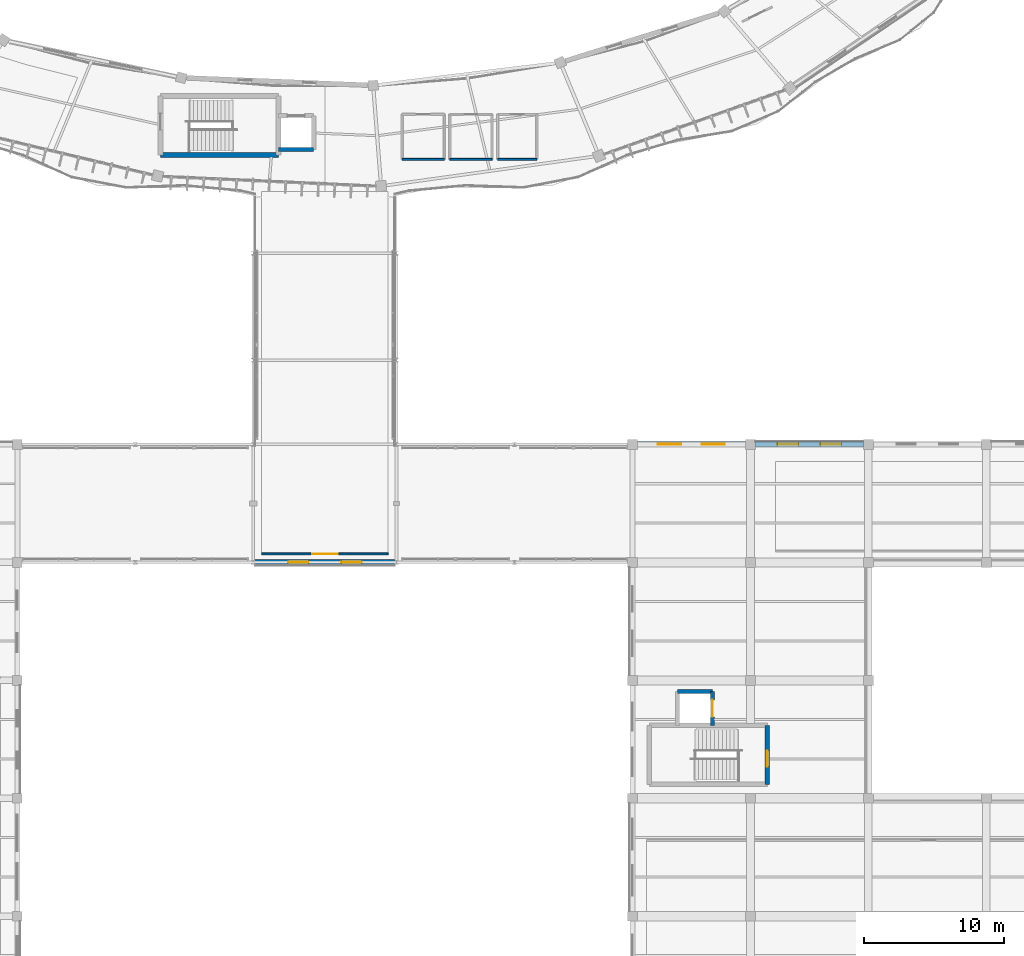
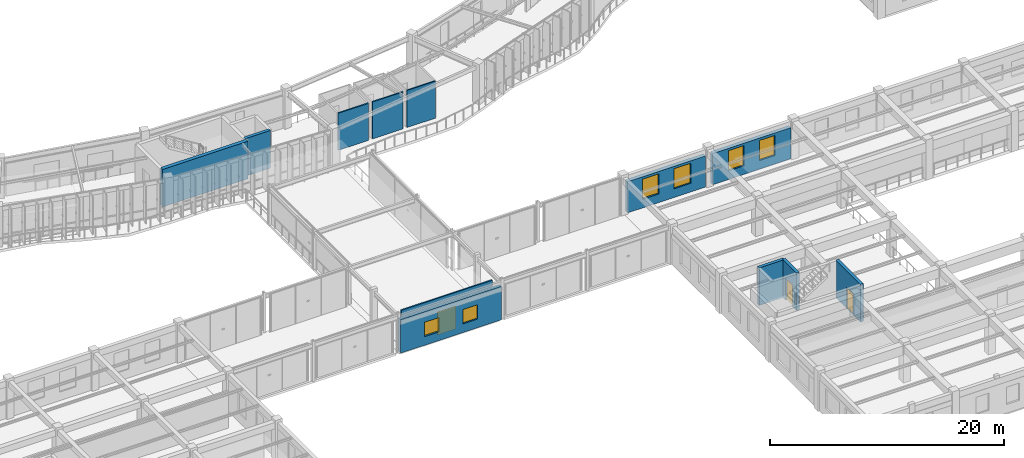
# One storey, part 121 of 152: 12 walls, 6 windows, 3 doors, 9 openings.
"""IFC4 building model written with IfcOpenShell, lengths in metres."""

import ifcopenshell
import ifcopenshell.guid

model = None  # the IFC model being written
_history = None  # IfcOwnerHistory: only IFC2X3 demands one
_inside = {}  # id of a spatial element -> (the spatial element, [elements in it])
_under = {}  # id of a project, library or spatial element -> (it, [spatial elements below it])
_declared = {}  # id of a project -> (the project, [libraries it declares])
_typed = {}  # id of a type object -> (the type object, [elements of that type])
_made_of = {}  # id of a material, layer set ... -> (it, [elements and type objects made of it])


def new_model(schema):
    """Start an empty IFC model of exactly this schema.

    Asked for "IFC4X3", IfcOpenShell would pick the latest addendum, in which some entities
    have other attributes; the version numbers below select the first issue.
    IFC2X3 requires an IfcOwnerHistory on every rooted entity: one is made here for all.
    """
    global model, _history
    if schema == "IFC4X3":
        model = ifcopenshell.file(schema_version=(4, 3, 0, 0))
    else:
        model = ifcopenshell.file(schema=schema)
    _inside.clear()
    _under.clear()
    _declared.clear()
    _typed.clear()
    _made_of.clear()
    _history = None
    if model.schema == "IFC2X3":
        org = make("IfcOrganization", Name="unknown")
        user = make(
            "IfcPersonAndOrganization",
            ThePerson=make("IfcPerson", FamilyName="unknown"),
            TheOrganization=org,
        )
        app = make(
            "IfcApplication",
            ApplicationDeveloper=org,
            Version="unknown",
            ApplicationFullName="unknown",
            ApplicationIdentifier="unknown",
        )
        _history = make(
            "IfcOwnerHistory",
            OwningUser=user,
            OwningApplication=app,
            ChangeAction="ADDED",
            CreationDate=0,
        )
    return model


def make(cls, **values):
    """One entity of the class cls with the attributes given. An attribute that is None is left unset."""
    return model.create_entity(
        cls, **{name: value for name, value in values.items() if value is not None}
    )


def rooted(cls, **values):
    """An entity with a GlobalId (a new one), such as an element, a storey or a relation."""
    return make(cls, GlobalId=ifcopenshell.guid.new(), OwnerHistory=_history, **values)


def si_unit(unit_type, name, prefix=None):
    """IfcSIUnit, for example si_unit("LENGTHUNIT", "METRE", prefix="MILLI")."""
    return make("IfcSIUnit", UnitType=unit_type, Prefix=prefix, Name=name)


def assignment(units):
    """IfcUnitAssignment: the units of a project."""
    return None if units is None else make("IfcUnitAssignment", Units=units)


def point(xyz):
    """IfcCartesianPoint."""
    return None if xyz is None else make("IfcCartesianPoint", Coordinates=xyz)


def direction(xyz):
    """IfcDirection."""
    return None if xyz is None else make("IfcDirection", DirectionRatios=xyz)


def frame(location, z_axis=None, x_axis=None):
    """IfcAxis2Placement3D, a coordinate frame: its origin and axes. An axis left out is left unset."""
    return make(
        "IfcAxis2Placement3D",
        Location=point(location),
        Axis=direction(z_axis),
        RefDirection=direction(x_axis),
    )


def frame_2d(location, x_axis=None):
    """IfcAxis2Placement2D, a coordinate frame in the plane: its origin and x axis."""
    return make(
        "IfcAxis2Placement2D", Location=point(location), RefDirection=direction(x_axis)
    )


def origin():
    """The frame at (0, 0, 0) with its axes left unset."""
    return frame((0.0, 0.0, 0.0))


def place(relative_to, where):
    """IfcLocalPlacement: puts the frame where relative to a parent placement (None: the world)."""
    return make(
        "IfcLocalPlacement", PlacementRelTo=relative_to, RelativePlacement=where
    )


def context(
    kind, dimensions, precision=None, world=None, true_north=None, identifier=None
):
    """IfcGeometricRepresentationContext, for example the 3D "Model" context."""
    return make(
        "IfcGeometricRepresentationContext",
        ContextIdentifier=identifier,
        ContextType=kind,
        CoordinateSpaceDimension=dimensions,
        Precision=precision,
        WorldCoordinateSystem=world,
        TrueNorth=true_north,
    )


def subcontext(parent, identifier, kind, view, scale=None):
    """IfcGeometricRepresentationSubContext, for example "Body" below "Model"."""
    return make(
        "IfcGeometricRepresentationSubContext",
        ContextIdentifier=identifier,
        ContextType=kind,
        ParentContext=parent,
        TargetScale=scale,
        TargetView=view,
    )


def project(units=None, contexts=None):
    """IfcProject with its units and contexts."""
    return rooted(
        "IfcProject",
        Name="project",
        RepresentationContexts=contexts,
        UnitsInContext=assignment(units),
    )


def spatial(cls, under=None, at=None, **own):
    """A site, building, storey or space (cls), placed at a placement, below another one or the project."""
    s = rooted(cls, ObjectPlacement=at, **own)
    if under is not None:
        _under.setdefault(under.id(), (under, []))[1].append(s)
    return s


def profile(cls, at=None, kind="AREA", **sizes):
    """A parametric profile (cls). Its sizes go by their IFC names, for example OverallWidth=200.0."""
    return make(cls, ProfileType=kind, Position=at, **sizes)


def rectangle(**sizes):
    """IfcRectangleProfileDef."""
    return profile("IfcRectangleProfileDef", **sizes)


def extrude(swept, where, along, depth):
    """IfcExtrudedAreaSolid: the profile swept, set in the frame where, extruded along a direction by depth."""
    return make(
        "IfcExtrudedAreaSolid",
        SweptArea=swept,
        Position=where,
        ExtrudedDirection=direction(along),
        Depth=depth,
    )


def shape(context_of_items, identifier, shape_type, items):
    """IfcShapeRepresentation: the items that make up one representation, for example the "Body"."""
    return make(
        "IfcShapeRepresentation",
        ContextOfItems=context_of_items,
        RepresentationIdentifier=identifier,
        RepresentationType=shape_type,
        Items=items,
    )


def material(Name=None, Category=None):
    """IfcMaterial."""
    return make("IfcMaterial", Name=Name, Category=Category)


def layer(
    of_material, thickness, ventilated=None, Name=None, Category=None, Priority=None
):
    """IfcMaterialLayer: one layer of a wall or slab, of a material (None: an air gap)."""
    return make(
        "IfcMaterialLayer",
        Material=of_material,
        LayerThickness=thickness,
        IsVentilated=ventilated,
        Name=Name,
        Category=Category,
        Priority=Priority,
    )


def layer_set(layers, Name=None):
    """IfcMaterialLayerSet."""
    return make("IfcMaterialLayerSet", MaterialLayers=layers, LayerSetName=Name)


def made_of(thing, what):
    """Note that an element or type object is made of a material, layer set ...; save() writes the relation."""
    if what is not None:
        _made_of.setdefault(what.id(), (what, []))[1].append(thing)
    return thing


def type_object(cls, material=None, **own):
    """A type object (cls), such as IfcWallType, which elements share."""
    return made_of(rooted(cls, **own), material)


def element(
    cls,
    number,
    at=None,
    inside=None,
    cuts=None,
    type_object=None,
    material=None,
    context=None,
    identifier="Body",
    shape_type=None,
    held_by="IfcProductDefinitionShape",
    body=None,
    shapes=None,
    **own,
):
    """One element of the class cls, such as IfcWall. Its Tag is "e" and its number.

    at: its placement. inside: the storey or other place that contains it. cuts: it is an
    opening in that element (IfcRelVoidsElement). A single representation is given by context,
    identifier, shape_type and body (its items); several are given by shapes. held_by: the class
    of the entity that holds the representations. save() writes the other relations.
    """
    e = rooted(cls, Tag="e%d" % number, ObjectPlacement=at, **own)
    if body is not None:
        shapes = [shape(context, identifier, shape_type, body)]
    if shapes is not None:
        e.Representation = make(held_by, Representations=shapes)
    if inside is not None:
        _inside.setdefault(inside.id(), (inside, []))[1].append(e)
    if cuts is not None:
        rooted(
            "IfcRelVoidsElement", RelatingBuildingElement=cuts, RelatedOpeningElement=e
        )
    if type_object is not None:
        _typed.setdefault(type_object.id(), (type_object, []))[1].append(e)
    return made_of(e, material)


def fill(opening, filler):
    """IfcRelFillsElement: the door or window that sits in an opening."""
    return rooted(
        "IfcRelFillsElement",
        RelatingOpeningElement=opening,
        RelatedBuildingElement=filler,
    )


def aggregate(whole, parts):
    """IfcRelAggregates: a whole, such as a stair, and the parts it consists of."""
    return rooted("IfcRelAggregates", RelatingObject=whole, RelatedObjects=parts)


def save(model, path):
    """Write the relations noted so far, then the file.

    IfcRelAggregates (storeys below a building ...), IfcRelContainedInSpatialStructure (elements
    in a storey), IfcRelDefinesByType, IfcRelAssociatesMaterial and IfcRelDeclares: one each for
    every whole, place, type object, material and project.
    """
    for whole, parts in _under.values():
        aggregate(whole, parts)
    for where, things in _inside.values():
        rooted(
            "IfcRelContainedInSpatialStructure",
            RelatedElements=things,
            RelatingStructure=where,
        )
    for kind, things in _typed.values():
        rooted("IfcRelDefinesByType", RelatedObjects=things, RelatingType=kind)
    for what, things in _made_of.values():
        rooted("IfcRelAssociatesMaterial", RelatedObjects=things, RelatingMaterial=what)
    for by, libraries in _declared.values():
        rooted("IfcRelDeclares", RelatingContext=by, RelatedDefinitions=libraries)
    model.write(path)


model = new_model("IFC4")

# Units and contexts
model_context = context("Model", 3, precision=1e-05, world=origin(), true_north=direction((0.0, 1.0)))
body_context = subcontext(model_context, "Body", "Model", "MODEL_VIEW")
ifc_project = project(units=[si_unit("LENGTHUNIT", "METRE"), si_unit("AREAUNIT", "SQUARE_METRE"), si_unit("VOLUMEUNIT", "CUBIC_METRE"), si_unit("PLANEANGLEUNIT", "RADIAN"), si_unit("MASSUNIT", "GRAM", prefix="KILO"), si_unit("THERMODYNAMICTEMPERATUREUNIT", "KELVIN"), si_unit("POWERUNIT", "WATT")], contexts=[model_context])

# Site, building, storey
site_placement = place(None, origin())
site = spatial("IfcSite", under=ifc_project, at=site_placement, CompositionType="ELEMENT")
building_placement = place(site_placement, origin())
building = spatial("IfcBuilding", under=site, at=building_placement, Name="Darbajah Civic Hall", CompositionType="ELEMENT")
storey_placement = place(building_placement, frame((0.0, 0.0, 5.39990234375)))
storey = spatial("IfcBuildingStorey", under=building, at=storey_placement, Name="L01", CompositionType="ELEMENT", Elevation=5.39990234375)

# Wall
ifc_material_1 = material(Name="Concrete C45/55", Category="concrete")
ifc_layer_1 = layer(ifc_material_1, 0.300048828125, Name="Concrete C45/55")
ifc_layer_set_1 = layer_set([ifc_layer_1], Name="Concrete C45/55")
wall_type_1 = type_object("IfcWallType", Name="Core Shear Wall 300mm", PredefinedType="SHEAR", material=ifc_layer_set_1)
wall_1_placement = place(storey_placement, frame((85.800048828125, 63.0, 0.0), z_axis=(0.0, 0.0, 1.0), x_axis=(1.0, 0.0, 0.0)))
element("IfcWall", 1, at=wall_1_placement, inside=storey, type_object=wall_type_1, Name="L01 lift PL1 shaft wall S", PredefinedType="SHEAR", context=body_context, shape_type="SweptSolid", body=[
    extrude(rectangle(XDim=2.5, YDim=0.300048828125, at=frame_2d((1.25, 0.0))), origin(), (0.0, 0.0, 1.0), 3.920166015625),
])

# Wall, opening, door
wall_2_placement = place(storey_placement, frame((120.60009765625, 17.800048828125, 0.0), z_axis=(0.0, 0.0, 1.0), x_axis=(0.0, 1.0, 0.0)))
wall_2 = element("IfcWall", 2, at=wall_2_placement, inside=storey, type_object=wall_type_1, Name="L01 core C06 shear wall E", PredefinedType="SHEAR", context=body_context, shape_type="SweptSolid", body=[
    extrude(rectangle(XDim=4.199951171875, YDim=0.300048828125, at=frame_2d((2.10009765625, 0.0))), origin(), (0.0, 0.0, 1.0), 3.920166015625),
])
opening_1_placement = place(wall_2_placement, frame((1.25, 0.0, 0.0)))
opening_1 = element("IfcOpeningElement", 3, at=opening_1_placement, cuts=wall_2, Name="Opening SD-0074", PredefinedType="OPENING", context=body_context, shape_type="SweptSolid", body=[
    extrude(rectangle(XDim=1.14990234375, YDim=2.199951171875, at=frame_2d((0.574951171875, 1.10009765625))), frame((0.0, 0.159912109375, 0.0), z_axis=(0.0, -1.0, 0.0), x_axis=(1.0, 0.0, 0.0)), (0.0, 0.0, 1.0), 0.320068359375),
])
ifc_material_2 = material(Name="Steel Rated Core Door", Category="steel")
door_type_1 = type_object("IfcDoorType", Name="Interior Door 1150x2200", OperationType="NOTDEFINED", PredefinedType="DOOR", material=ifc_material_2)
door_1_placement = place(opening_1_placement, origin())
door_1 = element("IfcDoor", 4, at=door_1_placement, inside=storey, type_object=door_type_1, Name="L01 stair ST06 fire door SD-0074", OperationType="SINGLE_SWING_LEFT", OverallHeight=2.199951171875, OverallWidth=1.14990234375, PredefinedType="DOOR", context=body_context, shape_type="SweptSolid", body=[
    extrude(rectangle(XDim=1.14990234375, YDim=2.199951171875, at=frame_2d((0.574951171875, 1.10009765625))), frame((0.0, 0.02490234375, 0.0), z_axis=(0.0, -1.0, 0.0), x_axis=(1.0, 0.0, 0.0)), (0.0, 0.0, 1.0), 0.050048828125),
])
fill(opening_1, door_1)

# Wall
wall_3_placement = place(storey_placement, frame((116.699951171875, 24.39990234375, 0.0), z_axis=(0.0, 0.0, 1.0), x_axis=(-1.0, 0.0, 0.0)))
element("IfcWall", 5, at=wall_3_placement, inside=storey, type_object=wall_type_1, Name="L01 lift PL3 shaft wall N", PredefinedType="SHEAR", context=body_context, shape_type="SweptSolid", body=[
    extrude(rectangle(XDim=2.5, YDim=0.300048828125, at=frame_2d((1.25, 0.0))), origin(), (0.0, 0.0, 1.0), 3.920166015625),
])

# Wall, opening, door
wall_4_placement = place(storey_placement, frame((116.699951171875, 22.0, 0.0), z_axis=(0.0, 0.0, 1.0), x_axis=(0.0, 1.0, 0.0)))
wall_4 = element("IfcWall", 6, at=wall_4_placement, inside=storey, type_object=wall_type_1, Name="L01 lift PL3 shaft wall E", PredefinedType="SHEAR", context=body_context, shape_type="SweptSolid", body=[
    extrude(rectangle(XDim=2.39990234375, YDim=0.300048828125, at=frame_2d((1.199951171875, 0.0))), origin(), (0.0, 0.0, 1.0), 3.920166015625),
])
opening_2_placement = place(wall_4_placement, frame((0.60009765625, 0.0, 0.0)))
opening_2 = element("IfcOpeningElement", 7, at=opening_2_placement, cuts=wall_4, Name="Opening LD-0078", PredefinedType="OPENING", context=body_context, shape_type="SweptSolid", body=[
    extrude(rectangle(XDim=1.199951171875, YDim=2.25, at=frame_2d((0.60009765625, 1.125))), frame((0.0, 0.159912109375, 0.0), z_axis=(0.0, -1.0, 0.0), x_axis=(1.0, 0.0, 0.0)), (0.0, 0.0, 1.0), 0.320068359375),
])
ifc_material_3 = material(Name="Stainless Lift Landing Door")
door_type_2 = type_object("IfcDoorType", Name="Lift Landing Door 1200x2250", OperationType="SLIDING_TO_LEFT", PredefinedType="DOOR", material=ifc_material_3)
door_2_placement = place(opening_2_placement, origin())
door_2 = element("IfcDoor", 8, at=door_2_placement, inside=storey, type_object=door_type_2, Name="L01 lift PL3 landing door LD-0078", OperationType="SLIDING_TO_LEFT", OverallHeight=2.25, OverallWidth=1.199951171875, PredefinedType="DOOR", context=body_context, shape_type="SweptSolid", body=[
    extrude(rectangle(XDim=1.199951171875, YDim=2.25, at=frame_2d((0.60009765625, 1.125))), frame((0.0, 0.02490234375, 0.0), z_axis=(0.0, -1.0, 0.0), x_axis=(1.0, 0.0, 0.0)), (0.0, 0.0, 1.0), 0.050048828125),
])
fill(opening_2, door_2)

# Wall
ifc_material_4 = material(Name="Concrete C50/60", Category="concrete")
ifc_layer_2 = layer(ifc_material_4, 0.35009765625, Name="Concrete C50/60")
ifc_layer_set_2 = layer_set([ifc_layer_2], Name="Concrete C50/60")
wall_type_2 = type_object("IfcWallType", Name="Core Shear Wall 350mm", PredefinedType="SHEAR", material=ifc_layer_set_2)
wall_5_placement = place(storey_placement, frame((77.39990234375, 62.60009765625, 0.0), z_axis=(0.0, 0.0, 1.0), x_axis=(1.0, 0.0, 0.0)))
element("IfcWall", 9, at=wall_5_placement, inside=storey, type_object=wall_type_2, Name="L01 core C03 shear wall S", PredefinedType="SHEAR", context=body_context, shape_type="SweptSolid", body=[
    extrude(rectangle(XDim=8.400146484375, YDim=0.35009765625, at=frame_2d((4.2001953125, 0.0))), origin(), (0.0, 0.0, 1.0), 3.920166015625),
])

# Wall, openings, windows
ifc_material_5 = material(Name="Red Dholpur Sandstone Cladding", Category="masonry")
ifc_layer_3 = layer(ifc_material_5, 0.3798828125, Name="Red Dholpur Sandstone Cladding")
ifc_layer_set_3 = layer_set([ifc_layer_3], Name="Red Dholpur Sandstone Cladding")
wall_type_3 = type_object("IfcWallType", Name="Exterior Wall 380mm", PredefinedType="SOLIDWALL", material=ifc_layer_set_3)
wall_6_placement = place(storey_placement, frame((127.447998046875, 42.0, 0.0), z_axis=(0.0, 0.0, 1.0), x_axis=(-1.0, 0.0, 0.0)))
wall_6 = element("IfcWall", 10, at=wall_6_placement, inside=storey, type_object=wall_type_3, Name="L01 exterior wall EW-380", PredefinedType="SOLIDWALL", context=body_context, shape_type="SweptSolid", body=[
    extrude(rectangle(XDim=7.696044921875, YDim=0.3798828125, at=frame_2d((3.84814453125, 0.0))), origin(), (0.0, 0.0, 1.0), 3.25),
])
opening_3_placement = place(wall_6_placement, frame((1.565185546875, 0.0, 0.89990234375)))
opening_3 = element("IfcOpeningElement", 11, at=opening_3_placement, cuts=wall_6, Name="Opening WN-03", PredefinedType="OPENING", context=body_context, shape_type="SweptSolid", body=[
    extrude(rectangle(XDim=1.5, YDim=2.10009765625, at=frame_2d((0.75, 1.050048828125))), frame((0.0, 0.199951171875, 0.0), z_axis=(0.0, -1.0, 0.0), x_axis=(1.0, 0.0, 0.0)), (0.0, 0.0, 1.0), 0.39990234375),
])
opening_4_placement = place(wall_6_placement, frame((4.630615234375, 0.0, 0.89990234375)))
opening_4 = element("IfcOpeningElement", 12, at=opening_4_placement, cuts=wall_6, Name="Opening WN-03", PredefinedType="OPENING", context=body_context, shape_type="SweptSolid", body=[
    extrude(rectangle(XDim=1.5, YDim=2.10009765625, at=frame_2d((0.75, 1.050048828125))), frame((0.0, 0.199951171875, 0.0), z_axis=(0.0, -1.0, 0.0), x_axis=(1.0, 0.0, 0.0)), (0.0, 0.0, 1.0), 0.39990234375),
])
ifc_material_6 = material(Name="Low-E Solar Control Double Glazing", Category="glass")
window_type_1 = type_object("IfcWindowType", Name="Facade Window 1500x2100", PartitioningType="SINGLE_PANEL", PredefinedType="WINDOW", material=ifc_material_6)
window_1_placement = place(opening_3_placement, origin())
window_1 = element("IfcWindow", 13, at=window_1_placement, inside=storey, type_object=window_type_1, Name="L01 facade window WN-03", OverallHeight=2.10009765625, OverallWidth=1.5, PartitioningType="SINGLE_PANEL", PredefinedType="WINDOW", context=body_context, shape_type="SweptSolid", body=[
    extrude(rectangle(XDim=1.5, YDim=2.10009765625, at=frame_2d((0.75, 1.050048828125))), frame((0.0, 0.030029296875, 0.0), z_axis=(0.0, -1.0, 0.0), x_axis=(1.0, 0.0, 0.0)), (0.0, 0.0, 1.0), 0.06005859375),
])
fill(opening_3, window_1)
window_2_placement = place(opening_4_placement, origin())
window_2 = element("IfcWindow", 14, at=window_2_placement, inside=storey, type_object=window_type_1, Name="L01 facade window WN-03", OverallHeight=2.10009765625, OverallWidth=1.5, PartitioningType="SINGLE_PANEL", PredefinedType="WINDOW", context=body_context, shape_type="SweptSolid", body=[
    extrude(rectangle(XDim=1.5, YDim=2.10009765625, at=frame_2d((0.75, 1.050048828125))), frame((0.0, 0.030029296875, 0.0), z_axis=(0.0, -1.0, 0.0), x_axis=(1.0, 0.0, 0.0)), (0.0, 0.0, 1.0), 0.06005859375),
])
fill(opening_4, window_2)

wall_7_placement = place(storey_placement, frame((119.048095703125, 42.0, 0.0), z_axis=(0.0, 0.0, 1.0), x_axis=(-1.0, 0.0, 0.0)))
wall_7 = element("IfcWall", 15, at=wall_7_placement, inside=storey, type_object=wall_type_3, Name="L01 exterior wall EW-380", PredefinedType="SOLIDWALL", context=body_context, shape_type="SweptSolid", body=[
    extrude(rectangle(XDim=7.696044921875, YDim=0.3798828125, at=frame_2d((3.84814453125, 0.0))), origin(), (0.0, 0.0, 1.0), 3.25),
])
opening_5_placement = place(wall_7_placement, frame((1.46533203125, 0.0, 0.89990234375)))
opening_5 = element("IfcOpeningElement", 16, at=opening_5_placement, cuts=wall_7, Name="Opening WN-04", PredefinedType="OPENING", context=body_context, shape_type="SweptSolid", body=[
    extrude(rectangle(XDim=1.64990234375, YDim=2.10009765625, at=frame_2d((0.824951171875, 1.050048828125))), frame((0.0, 0.199951171875, 0.0), z_axis=(0.0, -1.0, 0.0), x_axis=(1.0, 0.0, 0.0)), (0.0, 0.0, 1.0), 0.39990234375),
])
opening_6_placement = place(wall_7_placement, frame((4.580810546875, 0.0, 0.89990234375)))
opening_6 = element("IfcOpeningElement", 17, at=opening_6_placement, cuts=wall_7, Name="Opening WN-04", PredefinedType="OPENING", context=body_context, shape_type="SweptSolid", body=[
    extrude(rectangle(XDim=1.64990234375, YDim=2.10009765625, at=frame_2d((0.824951171875, 1.050048828125))), frame((0.0, 0.199951171875, 0.0), z_axis=(0.0, -1.0, 0.0), x_axis=(1.0, 0.0, 0.0)), (0.0, 0.0, 1.0), 0.39990234375),
])
window_type_2 = type_object("IfcWindowType", Name="Facade Window 1650x2100", PartitioningType="DOUBLE_PANEL_VERTICAL", PredefinedType="WINDOW", material=ifc_material_6)
window_3_placement = place(opening_5_placement, origin())
window_3 = element("IfcWindow", 18, at=window_3_placement, inside=storey, type_object=window_type_2, Name="L01 facade window WN-04", OverallHeight=2.10009765625, OverallWidth=1.64990234375, PartitioningType="SINGLE_PANEL", PredefinedType="WINDOW", context=body_context, shape_type="SweptSolid", body=[
    extrude(rectangle(XDim=1.64990234375, YDim=2.10009765625, at=frame_2d((0.824951171875, 1.050048828125))), frame((0.0, 0.030029296875, 0.0), z_axis=(0.0, -1.0, 0.0), x_axis=(1.0, 0.0, 0.0)), (0.0, 0.0, 1.0), 0.06005859375),
])
fill(opening_5, window_3)
window_4_placement = place(opening_6_placement, origin())
window_4 = element("IfcWindow", 19, at=window_4_placement, inside=storey, type_object=window_type_2, Name="L01 facade window WN-04", OverallHeight=2.10009765625, OverallWidth=1.64990234375, PartitioningType="SINGLE_PANEL", PredefinedType="WINDOW", context=body_context, shape_type="SweptSolid", body=[
    extrude(rectangle(XDim=1.64990234375, YDim=2.10009765625, at=frame_2d((0.824951171875, 1.050048828125))), frame((0.0, 0.030029296875, 0.0), z_axis=(0.0, -1.0, 0.0), x_axis=(1.0, 0.0, 0.0)), (0.0, 0.0, 1.0), 0.06005859375),
])
fill(opening_6, window_4)

wall_8_placement = place(storey_placement, frame((84.130126953125, 33.60009765625, 0.0), z_axis=(0.0, 0.0, 1.0), x_axis=(1.0, 0.0, 0.0)))
wall_8 = element("IfcWall", 20, at=wall_8_placement, inside=storey, type_object=wall_type_3, Name="L01 exterior wall EW-380", PredefinedType="SOLIDWALL", context=body_context, shape_type="SweptSolid", body=[
    extrude(rectangle(XDim=9.939697265625, YDim=0.3798828125, at=frame_2d((4.9697265625, 0.0))), origin(), (0.0, 0.0, 1.0), 3.47314453125),
])
opening_7_placement = place(wall_8_placement, frame((2.3466796875, 0.0, 0.89990234375)))
opening_7 = element("IfcOpeningElement", 21, at=opening_7_placement, cuts=wall_8, Name="Opening WN-25", PredefinedType="OPENING", context=body_context, shape_type="SweptSolid", body=[
    extrude(rectangle(XDim=1.449951171875, YDim=1.5, at=frame_2d((0.72509765625, 0.75))), frame((0.0, 0.199951171875, 0.0), z_axis=(0.0, -1.0, 0.0), x_axis=(1.0, 0.0, 0.0)), (0.0, 0.0, 1.0), 0.39990234375),
])
opening_8_placement = place(wall_8_placement, frame((6.143310546875, 0.0, 0.89990234375)))
opening_8 = element("IfcOpeningElement", 22, at=opening_8_placement, cuts=wall_8, Name="Opening WN-25", PredefinedType="OPENING", context=body_context, shape_type="SweptSolid", body=[
    extrude(rectangle(XDim=1.449951171875, YDim=1.5, at=frame_2d((0.72509765625, 0.75))), frame((0.0, 0.199951171875, 0.0), z_axis=(0.0, -1.0, 0.0), x_axis=(1.0, 0.0, 0.0)), (0.0, 0.0, 1.0), 0.39990234375),
])
window_type_3 = type_object("IfcWindowType", Name="Facade Window 1450x1500", PartitioningType="SINGLE_PANEL", PredefinedType="WINDOW", material=ifc_material_6)
window_5_placement = place(opening_7_placement, origin())
window_5 = element("IfcWindow", 23, at=window_5_placement, inside=storey, type_object=window_type_3, Name="L01 facade window WN-25", OverallHeight=1.5, OverallWidth=1.449951171875, PartitioningType="SINGLE_PANEL", PredefinedType="WINDOW", context=body_context, shape_type="SweptSolid", body=[
    extrude(rectangle(XDim=1.449951171875, YDim=1.5, at=frame_2d((0.72509765625, 0.75))), frame((0.0, 0.030029296875, 0.0), z_axis=(0.0, -1.0, 0.0), x_axis=(1.0, 0.0, 0.0)), (0.0, 0.0, 1.0), 0.06005859375),
])
fill(opening_7, window_5)
window_6_placement = place(opening_8_placement, origin())
window_6 = element("IfcWindow", 24, at=window_6_placement, inside=storey, type_object=window_type_3, Name="L01 facade window WN-25", OverallHeight=1.5, OverallWidth=1.449951171875, PartitioningType="SINGLE_PANEL", PredefinedType="WINDOW", context=body_context, shape_type="SweptSolid", body=[
    extrude(rectangle(XDim=1.449951171875, YDim=1.5, at=frame_2d((0.72509765625, 0.75))), frame((0.0, 0.030029296875, 0.0), z_axis=(0.0, -1.0, 0.0), x_axis=(1.0, 0.0, 0.0)), (0.0, 0.0, 1.0), 0.06005859375),
])
fill(opening_8, window_6)

# Walls
ifc_material_7 = material(Name="Gypsum Plasterboard on Steel Stud", Category="steel")
ifc_layer_4 = layer(ifc_material_7, 0.135009765625, Name="Gypsum Plasterboard on Steel Stud")
ifc_layer_set_4 = layer_set([ifc_layer_4], Name="Gypsum Plasterboard on Steel Stud")
wall_type_4 = type_object("IfcWallType", Name="Interior Partition 135mm", PredefinedType="PARTITIONING", material=ifc_layer_set_4)
for number, where, z_axis, x_axis, name in (
    (25, (94.60009765625, 62.300048828125, 0.0), (0.0, 0.0, 1.0), (1.0, 0.0, 0.0), "L01 restroom enclosure wall L01-WCM S"),
    (26, (98.0, 62.300048828125, 0.0), (0.0, 0.0, 1.0), (1.0, 0.0, 0.0), "L01 restroom enclosure wall L01-WCF S"),
):
    element("IfcWall", number, at=place(storey_placement, frame(where, z_axis=z_axis, x_axis=x_axis)), inside=storey, type_object=wall_type_4, Name=name, PredefinedType="PARTITIONING", context=body_context, shape_type="SweptSolid", body=[
        extrude(rectangle(XDim=3.0, YDim=0.135009765625, at=frame_2d((1.5, 0.0))), origin(), (0.0, 0.0, 1.0), 3.860107421875),
    ])
wall_9_placement = place(storey_placement, frame((101.39990234375, 62.300048828125, 0.0), z_axis=(0.0, 0.0, 1.0), x_axis=(1.0, 0.0, 0.0)))
element("IfcWall", 27, at=wall_9_placement, inside=storey, type_object=wall_type_4, Name="L01 restroom enclosure wall L01-WCA S", PredefinedType="PARTITIONING", context=body_context, shape_type="SweptSolid", body=[
    extrude(rectangle(XDim=2.800048828125, YDim=0.135009765625, at=frame_2d((1.39990234375, 0.0))), origin(), (0.0, 0.0, 1.0), 3.860107421875),
])

# Wall, opening, door
wall_10_placement = place(storey_placement, frame((84.60009765625, 34.199951171875, 0.0), z_axis=(0.0, 0.0, 1.0), x_axis=(1.0, 0.0, 0.0)))
wall_10 = element("IfcWall", 28, at=wall_10_placement, inside=storey, type_object=wall_type_4, Name="L01 interior partition L01-V6-01", PredefinedType="PARTITIONING", context=body_context, shape_type="SweptSolid", body=[
    extrude(rectangle(XDim=9.0, YDim=0.135009765625, at=frame_2d((4.5, 0.0))), origin(), (0.0, 0.0, 1.0), 3.860107421875),
])
opening_9_placement = place(wall_10_placement, frame((3.60009765625, 0.0, 0.0)))
opening_9 = element("IfcOpeningElement", 29, at=opening_9_placement, cuts=wall_10, Name="Opening D-0195", PredefinedType="OPENING", context=body_context, shape_type="SweptSolid", body=[
    extrude(rectangle(XDim=1.800048828125, YDim=2.39990234375, at=frame_2d((0.89990234375, 1.199951171875))), frame((0.0, 0.077392578125, 0.0), z_axis=(0.0, -1.0, 0.0), x_axis=(1.0, 0.0, 0.0)), (0.0, 0.0, 1.0), 0.155029296875),
])
ifc_material_8 = material(Name="Painted Hardwood Fire Door", Category="wood")
door_type_3 = type_object("IfcDoorType", Name="Interior Door 1800x2400", OperationType="NOTDEFINED", PredefinedType="DOOR", material=ifc_material_8)
door_3_placement = place(opening_9_placement, origin())
door_3 = element("IfcDoor", 30, at=door_3_placement, inside=storey, type_object=door_type_3, Name="L01 L01-V6-01 door D-0195", OperationType="DOUBLE_DOOR_SINGLE_SWING", OverallHeight=2.39990234375, OverallWidth=1.800048828125, PredefinedType="DOOR", context=body_context, shape_type="SweptSolid", body=[
    extrude(rectangle(XDim=1.800048828125, YDim=2.39990234375, at=frame_2d((0.89990234375, 1.199951171875))), frame((0.0, 0.02490234375, 0.0), z_axis=(0.0, -1.0, 0.0), x_axis=(1.0, 0.0, 0.0)), (0.0, 0.0, 1.0), 0.050048828125),
])
fill(opening_9, door_3)

save(model, "model.ifc")
